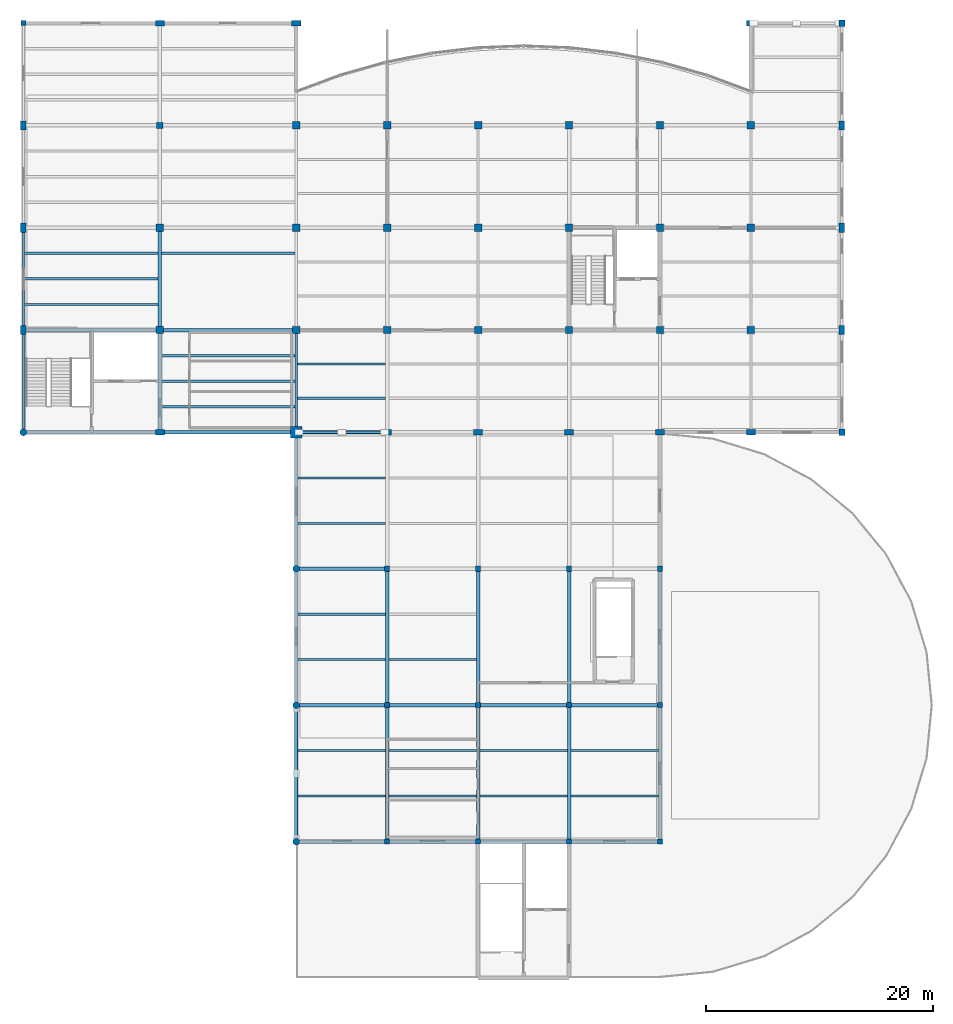
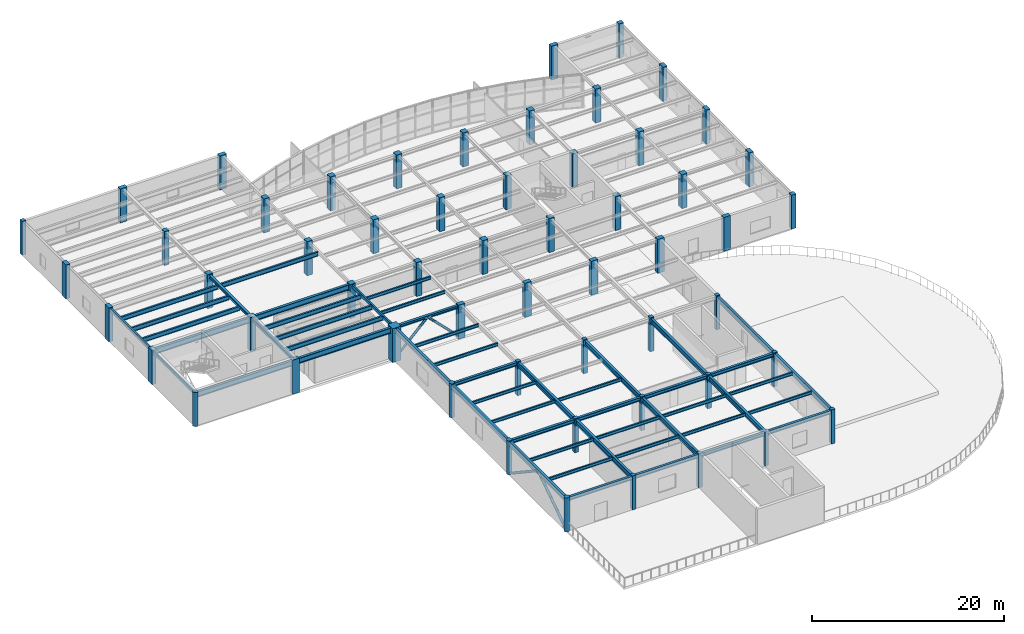
# One storey, part 1 of 16: 56 columns, 52 beams, 4 members.
"""IFC4 building model written with IfcOpenShell, lengths in metres."""

from ifc_helpers import new_model, si_unit, direction, frame, origin, origin_2d, place, context, subcontext, project, spatial, rectangle, hollow_rectangle, circle, hollow_circle, i_section, extrude, material, material_profile, profile_set, type_object, element, save


model = new_model("IFC4")

# Units and contexts
model_context = context("Model", 3, precision=1e-05, world=origin(), true_north=direction((0.0, 1.0)))
body_context = subcontext(model_context, "Body", "Model", "MODEL_VIEW")
ifc_project = project(units=[si_unit("LENGTHUNIT", "METRE"), si_unit("AREAUNIT", "SQUARE_METRE"), si_unit("VOLUMEUNIT", "CUBIC_METRE"), si_unit("PLANEANGLEUNIT", "RADIAN"), si_unit("MASSUNIT", "GRAM", prefix="KILO")], contexts=[model_context])

# Site, building, storey
site_placement = place(None, origin())
site = spatial("IfcSite", under=ifc_project, at=site_placement, CompositionType="ELEMENT")
building_placement = place(site_placement, origin())
building = spatial("IfcBuilding", under=site, at=building_placement, Name="Keelwater Ferry Terminal", CompositionType="ELEMENT")
storey_placement = place(building_placement, frame((0.0, 0.0, 15.0)))
storey = spatial("IfcBuildingStorey", under=building, at=storey_placement, Name="L03", CompositionType="ELEMENT", Elevation=15.0)

# Columns
ifc_material_1 = material(Name="Concrete C45/55", Category="concrete")
ifc_material_profile_1 = material_profile(ifc_material_1, rectangle(XDim=0.64990234375, YDim=0.64990234375, at=origin_2d()), Name="RC 650x650")
ifc_profile_set_1 = profile_set([ifc_material_profile_1], Name="Concrete C45/55")
column_type_1 = type_object("IfcColumnType", Name="C3 RC 650x650", PredefinedType="COLUMN", material=ifc_profile_set_1)
for number, where, z_axis, x_axis, name in (
    (1, (120.0, 99.0, 0.0), (0.0, 0.0, 1.0), (1.0, 0.0, 0.0), "Column CL-L03-0212"),
    (2, (120.0, 108.0, 0.0), (0.0, 0.0, 1.0), (1.0, 0.0, 0.0), "Column CL-L03-0218"),
    (3, (132.0, 99.0, 0.0), (0.0, 0.0, 1.0), (1.0, 0.0, 0.0), "Column CL-L03-0263"),
    (4, (132.0, 108.0, 0.0), (0.0, 0.0, 1.0), (1.0, 0.0, 0.0), "Column CL-L03-0269"),
    (5, (132.0, 117.0, 0.0), (0.0, 0.0, 1.0), (1.0, 0.0, 0.0), "Column CL-L03-0275"),
    (6, (140.0, 99.0, 0.0), (0.0, 0.0, 1.0), (1.0, 0.0, 0.0), "Column CL-L03-0315"),
    (7, (140.0, 108.0, 0.0), (0.0, 0.0, 1.0), (1.0, 0.0, 0.0), "Column CL-L03-0321"),
    (8, (140.0, 117.0, 0.0), (0.0, 0.0, 1.0), (1.0, 0.0, 0.0), "Column CL-L03-0327"),
    (9, (148.0, 99.0, 0.0), (0.0, 0.0, 1.0), (1.0, 0.0, 0.0), "Column CL-L03-0362"),
    (10, (148.0, 108.0, 0.0), (0.0, 0.0, 1.0), (1.0, 0.0, 0.0), "Column CL-L03-0368"),
    (11, (148.0, 117.0, 0.0), (0.0, 0.0, 1.0), (1.0, 0.0, 0.0), "Column CL-L03-0374"),
    (12, (156.0, 99.0, 0.0), (0.0, 0.0, 1.0), (1.0, 0.0, 0.0), "Column CL-L03-0401"),
    (13, (156.0, 108.0, 0.0), (0.0, 0.0, 1.0), (1.0, 0.0, 0.0), "Column CL-L03-0407"),
    (14, (156.0, 117.0, 0.0), (0.0, 0.0, 1.0), (1.0, 0.0, 0.0), "Column CL-L03-0413"),
    (15, (164.0, 99.0, 0.0), (0.0, 0.0, 1.0), (1.0, 0.0, 0.0), "Column CL-L03-0440"),
    (16, (164.0, 108.0, 0.0), (0.0, 0.0, 1.0), (1.0, 0.0, 0.0), "Column CL-L03-0446"),
    (17, (164.0, 117.0, 0.0), (0.0, 0.0, 1.0), (1.0, 0.0, 0.0), "Column CL-L03-0452"),
    (18, (172.0, 99.0, 0.0), (0.0, 0.0, 1.0), (1.0, 0.0, 0.0), "Column CL-L03-0473"),
    (19, (172.0, 108.0, 0.0), (0.0, 0.0, 1.0), (1.0, 0.0, 0.0), "Column CL-L03-0479"),
    (20, (172.0, 117.0, 0.0), (0.0, 0.0, 1.0), (1.0, 0.0, 0.0), "Column CL-L03-0485"),
):
    element("IfcColumn", number, at=place(storey_placement, frame(where, z_axis=z_axis, x_axis=x_axis)), inside=storey, type_object=column_type_1, Name=name, PredefinedType="COLUMN", context=body_context, shape_type="SweptSolid", body=[
        extrude(rectangle(XDim=0.64990234375, YDim=0.64990234375, at=origin_2d()), origin(), (0.0, 0.0, 1.0), 4.340087890625),
    ])
ifc_material_2 = material(Name="Concrete C45/55", Category="concrete")
ifc_material_profile_2 = material_profile(ifc_material_2, rectangle(XDim=0.550048828125, YDim=0.550048828125, at=origin_2d()), Name="RC 550x550")
ifc_profile_set_2 = profile_set([ifc_material_profile_2], Name="Concrete C45/55")
column_type_2 = type_object("IfcColumnType", Name="C4 RC 550x550", PredefinedType="COLUMN", material=ifc_profile_set_2)
column_1_placement = place(storey_placement, frame((120.0, 117.0, 0.0), z_axis=(0.0, 0.0, 1.0), x_axis=(1.0, 0.0, 0.0)))
element("IfcColumn", 21, at=column_1_placement, inside=storey, type_object=column_type_2, Name="Column CL-L03-0224", PredefinedType="COLUMN", context=body_context, shape_type="SweptSolid", body=[
    extrude(rectangle(XDim=0.550048828125, YDim=0.550048828125, at=origin_2d()), origin(), (0.0, 0.0, 1.0), 4.340087890625),
])
ifc_material_3 = material(Name="Concrete C45/55", Category="concrete")
ifc_material_profile_3 = material_profile(ifc_material_3, rectangle(XDim=0.550048828125, YDim=0.550048828125, at=origin_2d()), Name="RC 550x550")
ifc_profile_set_3 = profile_set([ifc_material_profile_3], Name="Concrete C45/55")
column_type_3 = type_object("IfcColumnType", Name="C4E RC 550x550", PredefinedType="COLUMN", material=ifc_profile_set_3)
for number, where, z_axis, x_axis, name in (
    (22, (180.0, 90.0, 0.0), (0.0, 0.0, 1.0), (1.0, 0.0, 0.0), "Column CL-L03-0505"),
    (23, (180.0, 126.0, 0.0), (0.0, 0.0, 1.0), (1.0, 0.0, 0.0), "Column CL-L03-0525"),
):
    element("IfcColumn", number, at=place(storey_placement, frame(where, z_axis=z_axis, x_axis=x_axis)), inside=storey, type_object=column_type_3, Name=name, PredefinedType="COLUMN", context=body_context, shape_type="SweptSolid", body=[
        extrude(rectangle(XDim=0.550048828125, YDim=0.550048828125, at=origin_2d()), origin(), (0.0, 0.0, 1.0), 4.340087890625),
    ])
ifc_material_4 = material(Name="Concrete C45/55", Category="concrete")
ifc_material_profile_4 = material_profile(ifc_material_4, rectangle(XDim=0.449951171875, YDim=0.449951171875, at=origin_2d()), Name="RC 450x450")
ifc_profile_set_4 = profile_set([ifc_material_profile_4], Name="Concrete C45/55")
column_type_4 = type_object("IfcColumnType", Name="C5 RC 450x450", PredefinedType="COLUMN", material=ifc_profile_set_4)
for number, where, z_axis, x_axis, name in (
    (24, (140.0, 54.0, 0.0), (0.0, 0.0, 1.0), (1.0, 0.0, 0.0), "Column CL-L03-0297"),
    (25, (140.0, 66.0, 0.0), (0.0, 0.0, 1.0), (1.0, 0.0, 0.0), "Column CL-L03-0301"),
    (26, (140.0, 78.0, 0.0), (0.0, 0.0, 1.0), (1.0, 0.0, 0.0), "Column CL-L03-0305"),
    (27, (148.0, 54.0, 0.0), (0.0, 0.0, 1.0), (1.0, 0.0, 0.0), "Column CL-L03-0344"),
    (28, (148.0, 66.0, 0.0), (0.0, 0.0, 1.0), (1.0, 0.0, 0.0), "Column CL-L03-0348"),
    (29, (148.0, 78.0, 0.0), (0.0, 0.0, 1.0), (1.0, 0.0, 0.0), "Column CL-L03-0352"),
    (30, (156.0, 54.0, 0.0), (0.0, 0.0, 1.0), (1.0, 0.0, 0.0), "Column CL-L03-0383"),
    (31, (156.0, 66.0, 0.0), (0.0, 0.0, 1.0), (1.0, 0.0, 0.0), "Column CL-L03-0387"),
    (32, (156.0, 78.0, 0.0), (0.0, 0.0, 1.0), (1.0, 0.0, 0.0), "Column CL-L03-0391"),
    (33, (164.0, 54.0, 0.0), (0.0, 0.0, 1.0), (1.0, 0.0, 0.0), "Column CL-L03-0422"),
    (34, (164.0, 66.0, 0.0), (0.0, 0.0, 1.0), (1.0, 0.0, 0.0), "Column CL-L03-0426"),
    (35, (164.0, 78.0, 0.0), (0.0, 0.0, 1.0), (1.0, 0.0, 0.0), "Column CL-L03-0430"),
):
    element("IfcColumn", number, at=place(storey_placement, frame(where, z_axis=z_axis, x_axis=x_axis)), inside=storey, type_object=column_type_4, Name=name, PredefinedType="COLUMN", context=body_context, shape_type="SweptSolid", body=[
        extrude(rectangle(XDim=0.449951171875, YDim=0.449951171875, at=origin_2d()), origin(), (0.0, 0.0, 1.0), 4.340087890625),
    ])
ifc_material_5 = material(Name="Concrete C45/55", Category="concrete")
ifc_material_profile_5 = material_profile(ifc_material_5, rectangle(XDim=0.449951171875, YDim=0.449951171875, at=origin_2d()), Name="RC 450x450")
ifc_profile_set_5 = profile_set([ifc_material_profile_5], Name="Concrete C45/55")
column_type_5 = type_object("IfcColumnType", Name="C5E RC 450x450", PredefinedType="COLUMN", material=ifc_profile_set_5)
column_2_placement = place(storey_placement, frame((108.0, 126.0, 0.0), z_axis=(0.0, 0.0, 1.0), x_axis=(1.0, 0.0, 0.0)))
element("IfcColumn", 36, at=column_2_placement, inside=storey, type_object=column_type_5, Name="Column CL-L03-0196", PredefinedType="COLUMN", context=body_context, shape_type="SweptSolid", body=[
    extrude(rectangle(XDim=0.449951171875, YDim=0.449951171875, at=origin_2d()), origin(), (0.0, 0.0, 1.0), 4.340087890625),
])
ifc_material_6 = material(Name="Concrete C45/55", Category="concrete")
ifc_material_profile_6 = material_profile(ifc_material_6, circle(Radius=0.300048828125, at=origin_2d()), Name="RC D600")
ifc_profile_set_6 = profile_set([ifc_material_profile_6], Name="Concrete C45/55")
column_type_6 = type_object("IfcColumnType", Name="C7 RC D600", PredefinedType="COLUMN", material=ifc_profile_set_6)
for number, where, z_axis, x_axis, name in (
    (37, (132.0, 54.0, 0.0), (0.0, 0.0, 1.0), (1.0, 0.0, 0.0), "Column CL-L03-0245"),
    (38, (132.0, 66.0, 0.0), (0.0, 0.0, 1.0), (1.0, 0.0, 0.0), "Column CL-L03-0249"),
    (39, (132.0, 78.0, 0.0), (0.0, 0.0, 1.0), (1.0, 0.0, 0.0), "Column CL-L03-0253"),
):
    element("IfcColumn", number, at=place(storey_placement, frame(where, z_axis=z_axis, x_axis=x_axis)), inside=storey, type_object=column_type_6, Name=name, PredefinedType="COLUMN", context=body_context, shape_type="SweptSolid", body=[
        extrude(circle(Radius=0.300048828125, at=origin_2d()), origin(), (0.0, 0.0, 1.0), 4.340087890625),
    ])
ifc_material_7 = material(Name="Concrete C45/55", Category="concrete")
ifc_material_profile_7 = material_profile(ifc_material_7, circle(Radius=0.300048828125, at=origin_2d()), Name="RC D600")
ifc_profile_set_7 = profile_set([ifc_material_profile_7], Name="Concrete C45/55")
column_type_7 = type_object("IfcColumnType", Name="C7E RC D600", PredefinedType="COLUMN", material=ifc_profile_set_7)
column_3_placement = place(storey_placement, frame((108.0, 90.0, 0.0), z_axis=(0.0, 0.0, 1.0), x_axis=(1.0, 0.0, 0.0)))
element("IfcColumn", 40, at=column_3_placement, inside=storey, type_object=column_type_7, Name="Column CL-L03-0174", PredefinedType="COLUMN", context=body_context, shape_type="SweptSolid", body=[
    extrude(circle(Radius=0.300048828125, at=origin_2d()), origin(), (0.0, 0.0, 1.0), 4.340087890625),
])
ifc_material_8 = material(Name="Concrete C50/60", Category="concrete")
ifc_material_profile_8 = material_profile(ifc_material_8, rectangle(XDim=1.0, YDim=1.0, at=origin_2d()), Name="RC 1000x1000")
ifc_profile_set_8 = profile_set([ifc_material_profile_8], Name="Concrete C50/60")
column_type_8 = type_object("IfcColumnType", Name="MC1E RC 1000x1000", PredefinedType="COLUMN", material=ifc_profile_set_8)
column_4_placement = place(storey_placement, frame((132.0, 90.0, 0.0), z_axis=(0.0, 0.0, 1.0), x_axis=(1.0, 0.0, 0.0)))
element("IfcColumn", 41, at=column_4_placement, inside=storey, type_object=column_type_8, Name="Column CL-L03-0257", PredefinedType="COLUMN", context=body_context, shape_type="SweptSolid", body=[
    extrude(rectangle(XDim=1.0, YDim=1.0, at=origin_2d()), origin(), (0.0, 0.0, 1.0), 4.340087890625),
])
ifc_material_9 = material(Name="Concrete C45/55", Category="concrete")
ifc_material_profile_9 = material_profile(ifc_material_9, rectangle(XDim=0.5, YDim=0.800048828125, at=origin_2d()), Name="RC 800x500")
ifc_profile_set_9 = profile_set([ifc_material_profile_9], Name="Concrete C45/55")
column_type_9 = type_object("IfcColumnType", Name="PL2E RC 800x500", PredefinedType="PILASTER", material=ifc_profile_set_9)
for number, where, z_axis, x_axis, name in (
    (42, (108.0, 99.0, 0.0), (0.0, 0.0, 1.0), (1.0, 0.0, 0.0), "Column CL-L03-0180"),
    (43, (108.0, 108.0, 0.0), (0.0, 0.0, 1.0), (1.0, 0.0, 0.0), "Column CL-L03-0186"),
    (44, (108.0, 117.0, 0.0), (0.0, 0.0, 1.0), (1.0, 0.0, 0.0), "Column CL-L03-0192"),
    (45, (120.0, 90.0, 0.0), (0.0, 0.0, 1.0), (0.0, 1.0, 0.0), "Column CL-L03-0206"),
    (46, (120.0, 126.0, 0.0), (0.0, 0.0, 1.0), (0.0, 1.0, 0.0), "Column CL-L03-0229"),
    (47, (132.0, 126.0, 0.0), (0.0, 0.0, 1.0), (0.0, 1.0, 0.0), "Column CL-L03-0281"),
    (48, (140.0, 90.0, 0.0), (0.0, 0.0, 1.0), (0.0, 1.0, 0.0), "Column CL-L03-0309"),
    (49, (148.0, 90.0, 0.0), (0.0, 0.0, 1.0), (0.0, 1.0, 0.0), "Column CL-L03-0356"),
    (50, (156.0, 90.0, 0.0), (0.0, 0.0, 1.0), (0.0, 1.0, 0.0), "Column CL-L03-0395"),
    (51, (164.0, 90.0, 0.0), (0.0, 0.0, 1.0), (0.0, 1.0, 0.0), "Column CL-L03-0434"),
    (52, (172.0, 90.0, 0.0), (0.0, 0.0, 1.0), (0.0, 1.0, 0.0), "Column CL-L03-0467"),
    (53, (172.0, 126.0, 0.0), (0.0, 0.0, 1.0), (0.0, 1.0, 0.0), "Column CL-L03-0491"),
    (54, (180.0, 99.0, 0.0), (0.0, 0.0, 1.0), (1.0, 0.0, 0.0), "Column CL-L03-0510"),
    (55, (180.0, 108.0, 0.0), (0.0, 0.0, 1.0), (1.0, 0.0, 0.0), "Column CL-L03-0515"),
    (56, (180.0, 117.0, 0.0), (0.0, 0.0, 1.0), (1.0, 0.0, 0.0), "Column CL-L03-0520"),
):
    element("IfcColumn", number, at=place(storey_placement, frame(where, z_axis=z_axis, x_axis=x_axis)), inside=storey, type_object=column_type_9, Name=name, PredefinedType="PILASTER", context=body_context, shape_type="SweptSolid", body=[
        extrude(rectangle(XDim=0.5, YDim=0.800048828125, at=origin_2d()), origin(), (0.0, 0.0, 1.0), 4.340087890625),
    ])

# Members
ifc_material_10 = material(Name="Steel S355", Category="steel")
ifc_material_profile_10 = material_profile(ifc_material_10, hollow_circle(Radius=0.161865234375, WallThickness=0.012451171875, at=origin_2d()), Name="CHS 323.9x12.5")
ifc_profile_set_10 = profile_set([ifc_material_profile_10], Name="Steel S355")
member_type_1 = type_object("IfcMemberType", Name="BR1 CHS 323.9x12.5", PredefinedType="BRACE", material=ifc_profile_set_10)
for number, where, z_axis, x_axis, name in (
    (57, (132.0, 54.0, 0.0), (0.0, 0.832690895498, 0.553738090215), (-1.0, 0.0, 0.0), "Structural Member MB-L03-0561"),
    (58, (132.0, 66.0, 0.0), (0.0, -0.832690895498, 0.553738090215), (1.0, 0.0, 0.0), "Structural Member MB-L03-0562"),
):
    element("IfcMember", number, at=place(storey_placement, frame(where, z_axis=z_axis, x_axis=x_axis)), inside=storey, type_object=member_type_1, Name=name, PredefinedType="BRACE", context=body_context, shape_type="SweptSolid", body=[
        extrude(hollow_circle(Radius=0.161865234375, WallThickness=0.012451171875, at=origin_2d()), origin(), (0.0, 0.0, 1.0), 7.20556640625),
    ])
ifc_material_11 = material(Name="Steel S355", Category="steel")
ifc_material_profile_11 = material_profile(ifc_material_11, hollow_circle(Radius=0.136474609375, WallThickness=0.012451171875, at=origin_2d()), Name="CHS 273x12.5")
ifc_profile_set_11 = profile_set([ifc_material_profile_11], Name="Steel S355")
member_type_2 = type_object("IfcMemberType", Name="BR2 CHS 273x12.5", PredefinedType="BRACE", material=ifc_profile_set_11)
for number, where, z_axis, x_axis, name in (
    (59, (132.0, 90.0, 0.0), (0.707992080642, 0.0, 0.706220371944), (0.0, 1.0, 0.0), "Structural Member MB-L03-0575"),
    (60, (140.0, 90.0, 0.0), (-0.707992080642, 0.0, 0.706220371944), (0.0, -1.0, 0.0), "Structural Member MB-L03-0576"),
):
    element("IfcMember", number, at=place(storey_placement, frame(where, z_axis=z_axis, x_axis=x_axis)), inside=storey, type_object=member_type_2, Name=name, PredefinedType="BRACE", context=body_context, shape_type="SweptSolid", body=[
        extrude(hollow_circle(Radius=0.136474609375, WallThickness=0.012451171875, at=origin_2d()), origin(), (0.0, 0.0, 1.0), 5.64990234375),
    ])

# Beams
ifc_material_12 = material(Name="Steel S355", Category="steel")
ifc_material_profile_12 = material_profile(ifc_material_12, i_section(OverallWidth=0.300048828125, OverallDepth=0.699951171875, WebThickness=0.01708984375, FlangeThickness=0.031982421875, at=origin_2d()), Name="HEB 700")
ifc_profile_set_12 = profile_set([ifc_material_profile_12], Name="Steel S355")
beam_type_1 = type_object("IfcBeamType", Name="G2E HEB 700", PredefinedType="BEAM", material=ifc_profile_set_12)
beam_1_placement = place(storey_placement, frame((108.24609375, 90.0, 3.889892578125), z_axis=(1.0, 0.0, 0.0), x_axis=(0.0, 1.0, 0.0)))
element("IfcBeam", 61, at=beam_1_placement, inside=storey, type_object=beam_type_1, Name="Beam BM-L03-1297", PredefinedType="BEAM", context=body_context, shape_type="SweptSolid", body=[
    extrude(i_section(OverallWidth=0.300048828125, OverallDepth=0.699951171875, WebThickness=0.01708984375, FlangeThickness=0.031982421875, at=origin_2d()), origin(), (0.0, 0.0, 1.0), 11.36181640625),
])
beam_2_placement = place(storey_placement, frame((120.39208984375, 90.0, 3.889892578125), z_axis=(1.0, 0.0, 0.0), x_axis=(0.0, 1.0, 0.0)))
element("IfcBeam", 62, at=beam_2_placement, inside=storey, type_object=beam_type_1, Name="Beam BM-L03-1298", PredefinedType="BEAM", context=body_context, shape_type="SweptSolid", body=[
    extrude(i_section(OverallWidth=0.300048828125, OverallDepth=0.699951171875, WebThickness=0.01708984375, FlangeThickness=0.031982421875, at=origin_2d()), origin(), (0.0, 0.0, 1.0), 11.117919921875),
])
beam_3_placement = place(storey_placement, frame((108.2451171875, 99.0, 3.889892578125), z_axis=(1.0, 0.0, 0.0), x_axis=(0.0, 1.0, 0.0)))
element("IfcBeam", 63, at=beam_3_placement, inside=storey, type_object=beam_type_1, Name="Beam BM-L03-1305", PredefinedType="BEAM", context=body_context, shape_type="SweptSolid", body=[
    extrude(i_section(OverallWidth=0.300048828125, OverallDepth=0.699951171875, WebThickness=0.01708984375, FlangeThickness=0.031982421875, at=origin_2d()), origin(), (0.0, 0.0, 1.0), 11.436767578125),
])
beam_4_placement = place(storey_placement, frame((120.318115234375, 99.0, 3.889892578125), z_axis=(1.0, 0.0, 0.0), x_axis=(0.0, 1.0, 0.0)))
element("IfcBeam", 64, at=beam_4_placement, inside=storey, type_object=beam_type_1, Name="Beam BM-L03-1306", PredefinedType="BEAM", context=body_context, shape_type="SweptSolid", body=[
    extrude(i_section(OverallWidth=0.300048828125, OverallDepth=0.699951171875, WebThickness=0.01708984375, FlangeThickness=0.031982421875, at=origin_2d()), origin(), (0.0, 0.0, 1.0), 11.36376953125),
])
ifc_material_13 = material(Name="Steel S355", Category="steel")
ifc_material_profile_13 = material_profile(ifc_material_13, i_section(OverallWidth=0.300048828125, OverallDepth=0.60009765625, WebThickness=0.015380859375, FlangeThickness=0.030029296875, at=origin_2d()), Name="HEB 600")
ifc_profile_set_13 = profile_set([ifc_material_profile_13], Name="Steel S355")
beam_type_2 = type_object("IfcBeamType", Name="G3 HEB 600", PredefinedType="BEAM", material=ifc_profile_set_13)
for number, where, z_axis, x_axis, name in (
    (65, (140.0, 54.219970703125, 3.93994140625), (0.0, 1.0, 0.0), (-1.0, 0.0, 0.0), "Beam BM-L03-1347"),
    (66, (140.0, 66.219970703125, 3.93994140625), (0.0, 1.0, 0.0), (-1.0, 0.0, 0.0), "Beam BM-L03-1348"),
    (67, (156.0, 54.219970703125, 3.93994140625), (0.0, 1.0, 0.0), (-1.0, 0.0, 0.0), "Beam BM-L03-1359"),
    (68, (156.0, 66.219970703125, 3.93994140625), (0.0, 1.0, 0.0), (-1.0, 0.0, 0.0), "Beam BM-L03-1360"),
    (69, (164.0, 54.219970703125, 3.93994140625), (0.0, 1.0, 0.0), (-1.0, 0.0, 0.0), "Beam BM-L03-1365"),
    (70, (164.0, 66.219970703125, 3.93994140625), (0.0, 1.0, 0.0), (-1.0, 0.0, 0.0), "Beam BM-L03-1366"),
):
    element("IfcBeam", number, at=place(storey_placement, frame(where, z_axis=z_axis, x_axis=x_axis)), inside=storey, type_object=beam_type_2, Name=name, PredefinedType="BEAM", context=body_context, shape_type="SweptSolid", body=[
        extrude(i_section(OverallWidth=0.300048828125, OverallDepth=0.60009765625, WebThickness=0.015380859375, FlangeThickness=0.030029296875, at=origin_2d()), origin(), (0.0, 0.0, 1.0), 11.56005859375),
    ])
ifc_material_14 = material(Name="Steel S355", Category="steel")
ifc_material_profile_14 = material_profile(ifc_material_14, i_section(OverallWidth=0.300048828125, OverallDepth=0.60009765625, WebThickness=0.015380859375, FlangeThickness=0.030029296875, at=origin_2d()), Name="HEB 600")
ifc_profile_set_14 = profile_set([ifc_material_profile_14], Name="Steel S355")
beam_type_3 = type_object("IfcBeamType", Name="G3E HEB 600", PredefinedType="BEAM", material=ifc_profile_set_14)
for number, where, z_axis, x_axis, name in (
    (71, (132.0, 54.24609375, 3.93994140625), (0.0, 1.0, 0.0), (-1.0, 0.0, 0.0), "Beam BM-L03-1340"),
    (72, (132.0, 66.24609375, 3.93994140625), (0.0, 1.0, 0.0), (-1.0, 0.0, 0.0), "Beam BM-L03-1341"),
):
    element("IfcBeam", number, at=place(storey_placement, frame(where, z_axis=z_axis, x_axis=x_axis)), inside=storey, type_object=beam_type_3, Name=name, PredefinedType="BEAM", context=body_context, shape_type="SweptSolid", body=[
        extrude(i_section(OverallWidth=0.300048828125, OverallDepth=0.60009765625, WebThickness=0.015380859375, FlangeThickness=0.030029296875, at=origin_2d()), origin(), (0.0, 0.0, 1.0), 11.5078125),
    ])
beam_5_placement = place(storey_placement, frame((132.0, 78.24609375, 3.93994140625), z_axis=(0.0, 1.0, 0.0), x_axis=(-1.0, 0.0, 0.0)))
element("IfcBeam", 73, at=beam_5_placement, inside=storey, type_object=beam_type_3, Name="Beam BM-L03-1342", PredefinedType="BEAM", context=body_context, shape_type="SweptSolid", body=[
    extrude(i_section(OverallWidth=0.300048828125, OverallDepth=0.60009765625, WebThickness=0.015380859375, FlangeThickness=0.030029296875, at=origin_2d()), origin(), (0.0, 0.0, 1.0), 11.263916015625),
])
for number, where, z_axis, x_axis, name in (
    (74, (148.0, 54.219970703125, 3.93994140625), (0.0, 1.0, 0.0), (-1.0, 0.0, 0.0), "Beam BM-L03-1353"),
    (75, (148.0, 66.219970703125, 3.93994140625), (0.0, 1.0, 0.0), (-1.0, 0.0, 0.0), "Beam BM-L03-1354"),
):
    element("IfcBeam", number, at=place(storey_placement, frame(where, z_axis=z_axis, x_axis=x_axis)), inside=storey, type_object=beam_type_3, Name=name, PredefinedType="BEAM", context=body_context, shape_type="SweptSolid", body=[
        extrude(i_section(OverallWidth=0.300048828125, OverallDepth=0.60009765625, WebThickness=0.015380859375, FlangeThickness=0.030029296875, at=origin_2d()), origin(), (0.0, 0.0, 1.0), 11.56005859375),
    ])
ifc_material_15 = material(Name="Steel S355", Category="steel")
ifc_material_profile_15 = material_profile(ifc_material_15, i_section(OverallWidth=0.300048828125, OverallDepth=0.449951171875, WebThickness=0.013916015625, FlangeThickness=0.02587890625, at=origin_2d()), Name="HEB 450")
ifc_profile_set_15 = profile_set([ifc_material_profile_15], Name="Steel S355")
beam_type_4 = type_object("IfcBeamType", Name="G6 HEB 450", PredefinedType="BEAM", material=ifc_profile_set_15)
beam_6_placement = place(storey_placement, frame((132.24609375, 54.0, 4.014892578125), z_axis=(1.0, 0.0, 0.0), x_axis=(0.0, 1.0, 0.0)))
element("IfcBeam", 76, at=beam_6_placement, inside=storey, type_object=beam_type_4, Name="Beam BM-L03-1285", PredefinedType="BEAM", context=body_context, shape_type="SweptSolid", body=[
    extrude(i_section(OverallWidth=0.300048828125, OverallDepth=0.449951171875, WebThickness=0.013916015625, FlangeThickness=0.02587890625, at=origin_2d()), origin(), (0.0, 0.0, 1.0), 7.533935546875),
])
for number, where, z_axis, x_axis, name in (
    (77, (140.219970703125, 54.0, 4.014892578125), (1.0, 0.0, 0.0), (0.0, 1.0, 0.0), "Beam BM-L03-1286"),
    (78, (148.219970703125, 54.0, 4.014892578125), (1.0, 0.0, 0.0), (0.0, 1.0, 0.0), "Beam BM-L03-1287"),
    (79, (156.219970703125, 54.0, 4.014892578125), (1.0, 0.0, 0.0), (0.0, 1.0, 0.0), "Beam BM-L03-1288"),
):
    element("IfcBeam", number, at=place(storey_placement, frame(where, z_axis=z_axis, x_axis=x_axis)), inside=storey, type_object=beam_type_4, Name=name, PredefinedType="BEAM", context=body_context, shape_type="SweptSolid", body=[
        extrude(i_section(OverallWidth=0.300048828125, OverallDepth=0.449951171875, WebThickness=0.013916015625, FlangeThickness=0.02587890625, at=origin_2d()), origin(), (0.0, 0.0, 1.0), 7.56005859375),
    ])
beam_7_placement = place(storey_placement, frame((132.24609375, 66.0, 4.014892578125), z_axis=(1.0, 0.0, 0.0), x_axis=(0.0, 1.0, 0.0)))
element("IfcBeam", 80, at=beam_7_placement, inside=storey, type_object=beam_type_4, Name="Beam BM-L03-1289", PredefinedType="BEAM", context=body_context, shape_type="SweptSolid", body=[
    extrude(i_section(OverallWidth=0.300048828125, OverallDepth=0.449951171875, WebThickness=0.013916015625, FlangeThickness=0.02587890625, at=origin_2d()), origin(), (0.0, 0.0, 1.0), 7.533935546875),
])
for number, where, z_axis, x_axis, name in (
    (81, (140.219970703125, 66.0, 4.014892578125), (1.0, 0.0, 0.0), (0.0, 1.0, 0.0), "Beam BM-L03-1290"),
    (82, (148.219970703125, 66.0, 4.014892578125), (1.0, 0.0, 0.0), (0.0, 1.0, 0.0), "Beam BM-L03-1291"),
    (83, (156.219970703125, 66.0, 4.014892578125), (1.0, 0.0, 0.0), (0.0, 1.0, 0.0), "Beam BM-L03-1292"),
):
    element("IfcBeam", number, at=place(storey_placement, frame(where, z_axis=z_axis, x_axis=x_axis)), inside=storey, type_object=beam_type_4, Name=name, PredefinedType="BEAM", context=body_context, shape_type="SweptSolid", body=[
        extrude(i_section(OverallWidth=0.300048828125, OverallDepth=0.449951171875, WebThickness=0.013916015625, FlangeThickness=0.02587890625, at=origin_2d()), origin(), (0.0, 0.0, 1.0), 7.56005859375),
    ])
beam_8_placement = place(storey_placement, frame((132.24609375, 78.0, 4.014892578125), z_axis=(1.0, 0.0, 0.0), x_axis=(0.0, 1.0, 0.0)))
element("IfcBeam", 84, at=beam_8_placement, inside=storey, type_object=beam_type_4, Name="Beam BM-L03-1293", PredefinedType="BEAM", context=body_context, shape_type="SweptSolid", body=[
    extrude(i_section(OverallWidth=0.300048828125, OverallDepth=0.449951171875, WebThickness=0.013916015625, FlangeThickness=0.02587890625, at=origin_2d()), origin(), (0.0, 0.0, 1.0), 7.533935546875),
])
ifc_material_16 = material(Name="Steel S355", Category="steel")
ifc_material_profile_16 = material_profile(ifc_material_16, i_section(OverallWidth=0.300048828125, OverallDepth=0.39990234375, WebThickness=0.013427734375, FlangeThickness=0.02392578125, at=origin_2d()), Name="HEB 400")
ifc_profile_set_16 = profile_set([ifc_material_profile_16], Name="Steel S355")
beam_type_5 = type_object("IfcBeamType", Name="G7 HEB 400", PredefinedType="BEAM", material=ifc_profile_set_16)
beam_9_placement = place(storey_placement, frame((120.0, 90.2451171875, 4.0400390625), z_axis=(0.0, 1.0, 0.0), x_axis=(-1.0, 0.0, 0.0)))
element("IfcBeam", 85, at=beam_9_placement, inside=storey, type_object=beam_type_5, Name="Beam BM-L03-1336", PredefinedType="BEAM", context=body_context, shape_type="SweptSolid", body=[
    extrude(i_section(OverallWidth=0.300048828125, OverallDepth=0.39990234375, WebThickness=0.013427734375, FlangeThickness=0.02392578125, at=origin_2d()), origin(), (0.0, 0.0, 1.0), 8.436767578125),
])
beam_10_placement = place(storey_placement, frame((120.0, 99.318115234375, 4.0400390625), z_axis=(0.0, 1.0, 0.0), x_axis=(-1.0, 0.0, 0.0)))
element("IfcBeam", 86, at=beam_10_placement, inside=storey, type_object=beam_type_5, Name="Beam BM-L03-1337", PredefinedType="BEAM", context=body_context, shape_type="SweptSolid", body=[
    extrude(i_section(OverallWidth=0.300048828125, OverallDepth=0.39990234375, WebThickness=0.013427734375, FlangeThickness=0.02392578125, at=origin_2d()), origin(), (0.0, 0.0, 1.0), 8.36376953125),
])
ifc_material_17 = material(Name="Steel S355", Category="steel")
ifc_material_profile_17 = material_profile(ifc_material_17, i_section(OverallWidth=0.2099609375, OverallDepth=0.550048828125, WebThickness=0.010986328125, FlangeThickness=0.01708984375, at=origin_2d()), Name="IPE 550")
ifc_profile_set_17 = profile_set([ifc_material_profile_17], Name="Steel S355")
beam_type_6 = type_object("IfcBeamType", Name="J2 IPE 550", PredefinedType="JOIST", material=ifc_profile_set_17)
for number, where, z_axis, x_axis, name in (
    (87, (108.10009765625, 101.25, 3.965087890625), (1.0, 0.0, 0.0), (0.0, 1.0, 0.0), "Beam BM-L03-1379"),
    (88, (108.10009765625, 103.5, 3.965087890625), (1.0, 0.0, 0.0), (0.0, 1.0, 0.0), "Beam BM-L03-1380"),
    (89, (108.10009765625, 105.75, 3.965087890625), (1.0, 0.0, 0.0), (0.0, 1.0, 0.0), "Beam BM-L03-1381"),
    (90, (120.14990234375, 92.25, 3.965087890625), (1.0, 0.0, 0.0), (0.0, 1.0, 0.0), "Beam BM-L03-1388"),
    (91, (120.14990234375, 94.5, 3.965087890625), (1.0, 0.0, 0.0), (0.0, 1.0, 0.0), "Beam BM-L03-1389"),
    (92, (120.14990234375, 96.75, 3.965087890625), (1.0, 0.0, 0.0), (0.0, 1.0, 0.0), "Beam BM-L03-1390"),
    (93, (120.14990234375, 105.75, 3.965087890625), (1.0, 0.0, 0.0), (0.0, 1.0, 0.0), "Beam BM-L03-1391"),
):
    element("IfcBeam", number, at=place(storey_placement, frame(where, z_axis=z_axis, x_axis=x_axis)), inside=storey, type_object=beam_type_6, Name=name, PredefinedType="JOIST", context=body_context, shape_type="SweptSolid", body=[
        extrude(i_section(OverallWidth=0.2099609375, OverallDepth=0.550048828125, WebThickness=0.010986328125, FlangeThickness=0.01708984375, at=origin_2d()), origin(), (0.0, 0.0, 1.0), 11.75),
    ])
ifc_material_18 = material(Name="Steel S355", Category="steel")
ifc_material_profile_18 = material_profile(ifc_material_18, i_section(OverallWidth=0.179931640625, OverallDepth=0.39990234375, WebThickness=0.008544921875, FlangeThickness=0.013427734375, at=origin_2d()), Name="IPE 400")
ifc_profile_set_18 = profile_set([ifc_material_profile_18], Name="Steel S355")
beam_type_7 = type_object("IfcBeamType", Name="J5 IPE 400", PredefinedType="JOIST", material=ifc_profile_set_18)
for number, where, z_axis, x_axis, name in (
    (94, (132.14990234375, 58.0, 4.0400390625), (1.0, 0.0, 0.0), (0.0, 1.0, 0.0), "Beam BM-L03-1398"),
    (95, (132.14990234375, 62.0, 4.0400390625), (1.0, 0.0, 0.0), (0.0, 1.0, 0.0), "Beam BM-L03-1399"),
    (96, (132.14990234375, 70.0, 4.0400390625), (1.0, 0.0, 0.0), (0.0, 1.0, 0.0), "Beam BM-L03-1400"),
    (97, (132.14990234375, 74.0, 4.0400390625), (1.0, 0.0, 0.0), (0.0, 1.0, 0.0), "Beam BM-L03-1401"),
    (98, (132.14990234375, 82.0, 4.0400390625), (1.0, 0.0, 0.0), (0.0, 1.0, 0.0), "Beam BM-L03-1402"),
    (99, (132.14990234375, 86.0, 4.0400390625), (1.0, 0.0, 0.0), (0.0, 1.0, 0.0), "Beam BM-L03-1403"),
):
    element("IfcBeam", number, at=place(storey_placement, frame(where, z_axis=z_axis, x_axis=x_axis)), inside=storey, type_object=beam_type_7, Name=name, PredefinedType="JOIST", context=body_context, shape_type="SweptSolid", body=[
        extrude(i_section(OverallWidth=0.179931640625, OverallDepth=0.39990234375, WebThickness=0.008544921875, FlangeThickness=0.013427734375, at=origin_2d()), origin(), (0.0, 0.0, 1.0), 7.7001953125),
    ])
for number, where, z_axis, x_axis, name in (
    (100, (132.10009765625, 93.0, 4.0400390625), (1.0, 0.0, 0.0), (0.0, 1.0, 0.0), "Beam BM-L03-1404"),
    (101, (132.10009765625, 96.0, 4.0400390625), (1.0, 0.0, 0.0), (0.0, 1.0, 0.0), "Beam BM-L03-1405"),
):
    element("IfcBeam", number, at=place(storey_placement, frame(where, z_axis=z_axis, x_axis=x_axis)), inside=storey, type_object=beam_type_7, Name=name, PredefinedType="JOIST", context=body_context, shape_type="SweptSolid", body=[
        extrude(i_section(OverallWidth=0.179931640625, OverallDepth=0.39990234375, WebThickness=0.008544921875, FlangeThickness=0.013427734375, at=origin_2d()), origin(), (0.0, 0.0, 1.0), 7.75),
    ])
for number, where, z_axis, x_axis, name in (
    (102, (140.14990234375, 58.0, 4.0400390625), (1.0, 0.0, 0.0), (0.0, 1.0, 0.0), "Beam BM-L03-1410"),
    (103, (140.14990234375, 62.0, 4.0400390625), (1.0, 0.0, 0.0), (0.0, 1.0, 0.0), "Beam BM-L03-1411"),
    (104, (140.14990234375, 70.0, 4.0400390625), (1.0, 0.0, 0.0), (0.0, 1.0, 0.0), "Beam BM-L03-1412"),
    (105, (148.14990234375, 58.0, 4.0400390625), (1.0, 0.0, 0.0), (0.0, 1.0, 0.0), "Beam BM-L03-1422"),
    (106, (148.14990234375, 62.0, 4.0400390625), (1.0, 0.0, 0.0), (0.0, 1.0, 0.0), "Beam BM-L03-1423"),
    (107, (156.14990234375, 58.0, 4.0400390625), (1.0, 0.0, 0.0), (0.0, 1.0, 0.0), "Beam BM-L03-1432"),
    (108, (156.14990234375, 62.0, 4.0400390625), (1.0, 0.0, 0.0), (0.0, 1.0, 0.0), "Beam BM-L03-1433"),
):
    element("IfcBeam", number, at=place(storey_placement, frame(where, z_axis=z_axis, x_axis=x_axis)), inside=storey, type_object=beam_type_7, Name=name, PredefinedType="JOIST", context=body_context, shape_type="SweptSolid", body=[
        extrude(i_section(OverallWidth=0.179931640625, OverallDepth=0.39990234375, WebThickness=0.008544921875, FlangeThickness=0.013427734375, at=origin_2d()), origin(), (0.0, 0.0, 1.0), 7.7001953125),
    ])
ifc_material_19 = material(Name="Steel S355", Category="steel")
ifc_material_profile_19 = material_profile(ifc_material_19, i_section(OverallWidth=0.300048828125, OverallDepth=0.35009765625, WebThickness=0.010009765625, FlangeThickness=0.017578125, at=origin_2d()), Name="HEA 360")
ifc_profile_set_19 = profile_set([ifc_material_profile_19], Name="Steel S355")
beam_type_8 = type_object("IfcBeamType", Name="SP1E HEA 360", PredefinedType="SPANDREL", material=ifc_profile_set_19)
beam_11_placement = place(storey_placement, frame((132.489990234375, 90.0, 4.06494140625), z_axis=(1.0, 0.0, 0.0), x_axis=(0.0, 1.0, 0.0)))
element("IfcBeam", 109, at=beam_11_placement, inside=storey, type_object=beam_type_8, Name="Beam BM-L03-1299", PredefinedType="SPANDREL", context=body_context, shape_type="SweptSolid", body=[
    extrude(i_section(OverallWidth=0.300048828125, OverallDepth=0.35009765625, WebThickness=0.010009765625, FlangeThickness=0.017578125, at=origin_2d()), origin(), (0.0, 0.0, 1.0), 7.117919921875),
])
ifc_material_20 = material(Name="Steel S355", Category="steel")
ifc_material_profile_20 = material_profile(ifc_material_20, hollow_rectangle(XDim=0.199951171875, YDim=0.39990234375, WallThickness=0.01611328125, at=origin_2d()), Name="RHS 400x200x16")
ifc_profile_set_20 = profile_set([ifc_material_profile_20], Name="Steel S355")
beam_type_9 = type_object("IfcBeamType", Name="SP3E RHS 400x200x16", PredefinedType="SPANDREL", material=ifc_profile_set_20)
beam_12_placement = place(storey_placement, frame((108.0, 90.24609375, 4.0400390625), z_axis=(0.0, 1.0, 0.0), x_axis=(-1.0, 0.0, 0.0)))
element("IfcBeam", 110, at=beam_12_placement, inside=storey, type_object=beam_type_9, Name="Beam BM-L03-1332", PredefinedType="SPANDREL", context=body_context, shape_type="SweptSolid", body=[
    extrude(hollow_rectangle(XDim=0.199951171875, YDim=0.39990234375, WallThickness=0.01611328125, at=origin_2d()), origin(), (0.0, 0.0, 1.0), 8.36181640625),
])
beam_13_placement = place(storey_placement, frame((108.0, 99.39208984375, 4.0400390625), z_axis=(0.0, 1.0, 0.0), x_axis=(-1.0, 0.0, 0.0)))
element("IfcBeam", 111, at=beam_13_placement, inside=storey, type_object=beam_type_9, Name="Beam BM-L03-1333", PredefinedType="SPANDREL", context=body_context, shape_type="SweptSolid", body=[
    extrude(hollow_rectangle(XDim=0.199951171875, YDim=0.39990234375, WallThickness=0.01611328125, at=origin_2d()), origin(), (0.0, 0.0, 1.0), 8.2158203125),
])
beam_14_placement = place(storey_placement, frame((132.0, 90.489990234375, 4.0400390625), z_axis=(0.0, 1.0, 0.0), x_axis=(-1.0, 0.0, 0.0)))
element("IfcBeam", 112, at=beam_14_placement, inside=storey, type_object=beam_type_9, Name="Beam BM-L03-1343", PredefinedType="SPANDREL", context=body_context, shape_type="SweptSolid", body=[
    extrude(hollow_rectangle(XDim=0.199951171875, YDim=0.39990234375, WallThickness=0.01611328125, at=origin_2d()), origin(), (0.0, 0.0, 1.0), 8.19189453125),
])

save(model, "model.ifc")
